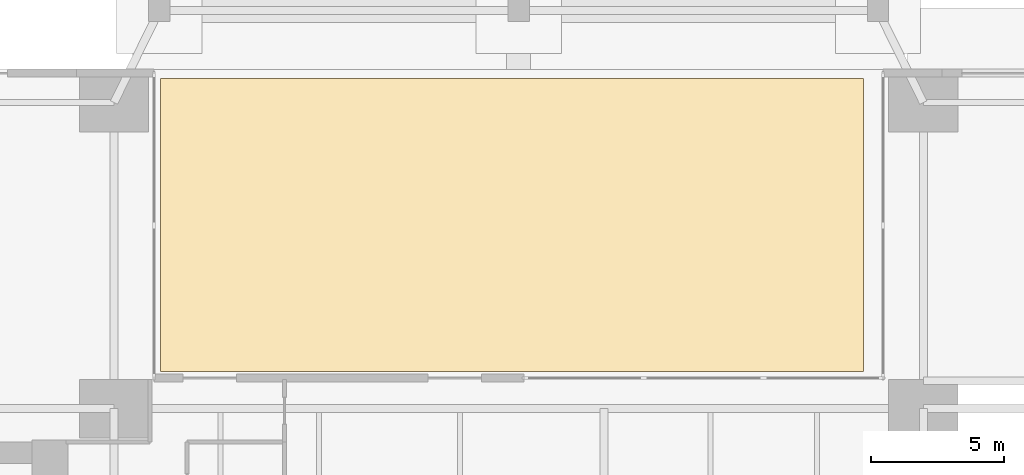
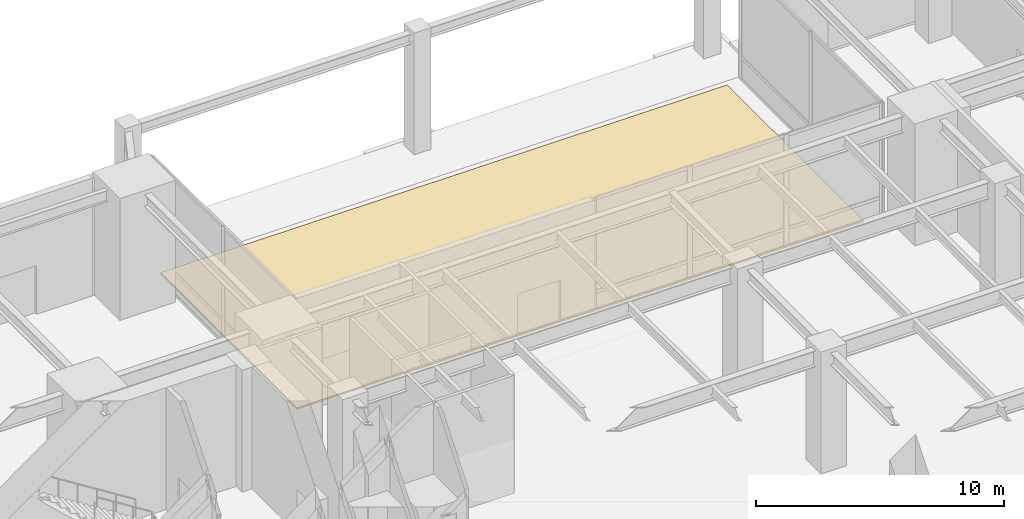
# One storey, part 16 of 17: 1 covering.
"""IFC4 building model written with IfcOpenShell, lengths in metres."""

import ifcopenshell
import ifcopenshell.guid

model = None  # the IFC model being written
_history = None  # IfcOwnerHistory: only IFC2X3 demands one
_inside = {}  # id of a spatial element -> (the spatial element, [elements in it])
_under = {}  # id of a project, library or spatial element -> (it, [spatial elements below it])
_declared = {}  # id of a project -> (the project, [libraries it declares])
_typed = {}  # id of a type object -> (the type object, [elements of that type])
_made_of = {}  # id of a material, layer set ... -> (it, [elements and type objects made of it])


def new_model(schema):
    """Start an empty IFC model of exactly this schema.

    Asked for "IFC4X3", IfcOpenShell would pick the latest addendum, in which some entities
    have other attributes; the version numbers below select the first issue.
    IFC2X3 requires an IfcOwnerHistory on every rooted entity: one is made here for all.
    """
    global model, _history
    if schema == "IFC4X3":
        model = ifcopenshell.file(schema_version=(4, 3, 0, 0))
    else:
        model = ifcopenshell.file(schema=schema)
    _inside.clear()
    _under.clear()
    _declared.clear()
    _typed.clear()
    _made_of.clear()
    _history = None
    if model.schema == "IFC2X3":
        org = make("IfcOrganization", Name="unknown")
        user = make(
            "IfcPersonAndOrganization",
            ThePerson=make("IfcPerson", FamilyName="unknown"),
            TheOrganization=org,
        )
        app = make(
            "IfcApplication",
            ApplicationDeveloper=org,
            Version="unknown",
            ApplicationFullName="unknown",
            ApplicationIdentifier="unknown",
        )
        _history = make(
            "IfcOwnerHistory",
            OwningUser=user,
            OwningApplication=app,
            ChangeAction="ADDED",
            CreationDate=0,
        )
    return model


def make(cls, **values):
    """One entity of the class cls with the attributes given. An attribute that is None is left unset."""
    return model.create_entity(
        cls, **{name: value for name, value in values.items() if value is not None}
    )


def rooted(cls, **values):
    """An entity with a GlobalId (a new one), such as an element, a storey or a relation."""
    return make(cls, GlobalId=ifcopenshell.guid.new(), OwnerHistory=_history, **values)


def si_unit(unit_type, name, prefix=None):
    """IfcSIUnit, for example si_unit("LENGTHUNIT", "METRE", prefix="MILLI")."""
    return make("IfcSIUnit", UnitType=unit_type, Prefix=prefix, Name=name)


def assignment(units):
    """IfcUnitAssignment: the units of a project."""
    return None if units is None else make("IfcUnitAssignment", Units=units)


def point(xyz):
    """IfcCartesianPoint."""
    return None if xyz is None else make("IfcCartesianPoint", Coordinates=xyz)


def direction(xyz):
    """IfcDirection."""
    return None if xyz is None else make("IfcDirection", DirectionRatios=xyz)


def frame(location, z_axis=None, x_axis=None):
    """IfcAxis2Placement3D, a coordinate frame: its origin and axes. An axis left out is left unset."""
    return make(
        "IfcAxis2Placement3D",
        Location=point(location),
        Axis=direction(z_axis),
        RefDirection=direction(x_axis),
    )


def origin():
    """The frame at (0, 0, 0) with its axes left unset."""
    return frame((0.0, 0.0, 0.0))


def place(relative_to, where):
    """IfcLocalPlacement: puts the frame where relative to a parent placement (None: the world)."""
    return make(
        "IfcLocalPlacement", PlacementRelTo=relative_to, RelativePlacement=where
    )


def context(
    kind, dimensions, precision=None, world=None, true_north=None, identifier=None
):
    """IfcGeometricRepresentationContext, for example the 3D "Model" context."""
    return make(
        "IfcGeometricRepresentationContext",
        ContextIdentifier=identifier,
        ContextType=kind,
        CoordinateSpaceDimension=dimensions,
        Precision=precision,
        WorldCoordinateSystem=world,
        TrueNorth=true_north,
    )


def subcontext(parent, identifier, kind, view, scale=None):
    """IfcGeometricRepresentationSubContext, for example "Body" below "Model"."""
    return make(
        "IfcGeometricRepresentationSubContext",
        ContextIdentifier=identifier,
        ContextType=kind,
        ParentContext=parent,
        TargetScale=scale,
        TargetView=view,
    )


def project(units=None, contexts=None):
    """IfcProject with its units and contexts."""
    return rooted(
        "IfcProject",
        Name="project",
        RepresentationContexts=contexts,
        UnitsInContext=assignment(units),
    )


def spatial(cls, under=None, at=None, **own):
    """A site, building, storey or space (cls), placed at a placement, below another one or the project."""
    s = rooted(cls, ObjectPlacement=at, **own)
    if under is not None:
        _under.setdefault(under.id(), (under, []))[1].append(s)
    return s


def polyline(points):
    """IfcPolyline through the points."""
    return make("IfcPolyline", Points=[point(p) for p in points])


def outline(outer, holes=None, kind="AREA"):
    """IfcArbitraryClosedProfileDef: a profile drawn as a closed curve; with holes, ...WithVoids."""
    if holes is None:
        return make("IfcArbitraryClosedProfileDef", ProfileType=kind, OuterCurve=outer)
    return make(
        "IfcArbitraryProfileDefWithVoids",
        ProfileType=kind,
        OuterCurve=outer,
        InnerCurves=holes,
    )


def extrude(swept, where, along, depth):
    """IfcExtrudedAreaSolid: the profile swept, set in the frame where, extruded along a direction by depth."""
    return make(
        "IfcExtrudedAreaSolid",
        SweptArea=swept,
        Position=where,
        ExtrudedDirection=direction(along),
        Depth=depth,
    )


def shape(context_of_items, identifier, shape_type, items):
    """IfcShapeRepresentation: the items that make up one representation, for example the "Body"."""
    return make(
        "IfcShapeRepresentation",
        ContextOfItems=context_of_items,
        RepresentationIdentifier=identifier,
        RepresentationType=shape_type,
        Items=items,
    )


def material(Name=None, Category=None):
    """IfcMaterial."""
    return make("IfcMaterial", Name=Name, Category=Category)


def layer(
    of_material, thickness, ventilated=None, Name=None, Category=None, Priority=None
):
    """IfcMaterialLayer: one layer of a wall or slab, of a material (None: an air gap)."""
    return make(
        "IfcMaterialLayer",
        Material=of_material,
        LayerThickness=thickness,
        IsVentilated=ventilated,
        Name=Name,
        Category=Category,
        Priority=Priority,
    )


def layer_set(layers, Name=None):
    """IfcMaterialLayerSet."""
    return make("IfcMaterialLayerSet", MaterialLayers=layers, LayerSetName=Name)


def made_of(thing, what):
    """Note that an element or type object is made of a material, layer set ...; save() writes the relation."""
    if what is not None:
        _made_of.setdefault(what.id(), (what, []))[1].append(thing)
    return thing


def type_object(cls, material=None, **own):
    """A type object (cls), such as IfcWallType, which elements share."""
    return made_of(rooted(cls, **own), material)


def element(
    cls,
    number,
    at=None,
    inside=None,
    cuts=None,
    type_object=None,
    material=None,
    context=None,
    identifier="Body",
    shape_type=None,
    held_by="IfcProductDefinitionShape",
    body=None,
    shapes=None,
    **own,
):
    """One element of the class cls, such as IfcWall. Its Tag is "e" and its number.

    at: its placement. inside: the storey or other place that contains it. cuts: it is an
    opening in that element (IfcRelVoidsElement). A single representation is given by context,
    identifier, shape_type and body (its items); several are given by shapes. held_by: the class
    of the entity that holds the representations. save() writes the other relations.
    """
    e = rooted(cls, Tag="e%d" % number, ObjectPlacement=at, **own)
    if body is not None:
        shapes = [shape(context, identifier, shape_type, body)]
    if shapes is not None:
        e.Representation = make(held_by, Representations=shapes)
    if inside is not None:
        _inside.setdefault(inside.id(), (inside, []))[1].append(e)
    if cuts is not None:
        rooted(
            "IfcRelVoidsElement", RelatingBuildingElement=cuts, RelatedOpeningElement=e
        )
    if type_object is not None:
        _typed.setdefault(type_object.id(), (type_object, []))[1].append(e)
    return made_of(e, material)


def aggregate(whole, parts):
    """IfcRelAggregates: a whole, such as a stair, and the parts it consists of."""
    return rooted("IfcRelAggregates", RelatingObject=whole, RelatedObjects=parts)


def save(model, path):
    """Write the relations noted so far, then the file.

    IfcRelAggregates (storeys below a building ...), IfcRelContainedInSpatialStructure (elements
    in a storey), IfcRelDefinesByType, IfcRelAssociatesMaterial and IfcRelDeclares: one each for
    every whole, place, type object, material and project.
    """
    for whole, parts in _under.values():
        aggregate(whole, parts)
    for where, things in _inside.values():
        rooted(
            "IfcRelContainedInSpatialStructure",
            RelatedElements=things,
            RelatingStructure=where,
        )
    for kind, things in _typed.values():
        rooted("IfcRelDefinesByType", RelatedObjects=things, RelatingType=kind)
    for what, things in _made_of.values():
        rooted("IfcRelAssociatesMaterial", RelatedObjects=things, RelatingMaterial=what)
    for by, libraries in _declared.values():
        rooted("IfcRelDeclares", RelatingContext=by, RelatedDefinitions=libraries)
    model.write(path)


model = new_model("IFC4")

# Units and contexts
model_context = context("Model", 3, precision=1e-05, world=origin(), true_north=direction((0.0, 1.0)))
body_context = subcontext(model_context, "Body", "Model", "MODEL_VIEW")
ifc_project = project(units=[si_unit("LENGTHUNIT", "METRE"), si_unit("AREAUNIT", "SQUARE_METRE"), si_unit("VOLUMEUNIT", "CUBIC_METRE"), si_unit("PLANEANGLEUNIT", "RADIAN"), si_unit("MASSUNIT", "GRAM", prefix="KILO")], contexts=[model_context])

# Site, building, storey
site_placement = place(None, origin())
site = spatial("IfcSite", under=ifc_project, at=site_placement, CompositionType="ELEMENT")
building_placement = place(site_placement, origin())
building = spatial("IfcBuilding", under=site, at=building_placement, Name="Kinhvarn Gate Tower", CompositionType="ELEMENT")
storey_placement = place(building_placement, origin())
storey = spatial("IfcBuildingStorey", under=building, at=storey_placement, Name="L00", CompositionType="ELEMENT", Elevation=0.0)

# Covering
ifc_material = material(Name="Insulated EPDM waterproof roof build-up")
ifc_layer = layer(ifc_material, 0.080078125)
ifc_layer_set = layer_set([ifc_layer], Name="Insulated EPDM waterproof roof build-up")
covering_type = type_object("IfcCoveringType", Name="COV-ROOF-80", PredefinedType="ROOFING", material=ifc_layer_set)
covering_placement = place(storey_placement, origin())
element("IfcCovering", 1, at=covering_placement, inside=storey, type_object=covering_type, Name="Open Portal Vault Plaza Weatherproofing VAULT-N", PredefinedType="ROOFING", context=body_context, shape_type="SweptSolid", body=[
    extrude(outline(polyline([(21.550048828125, 39.14990234375), (47.949951171875, 39.14990234375), (47.949951171875, 50.14990234375), (21.550048828125, 50.14990234375), (21.550048828125, 39.14990234375)])), origin(), (0.0, 0.0, 1.0), 0.080078125),
])

save(model, "model.ifc")
